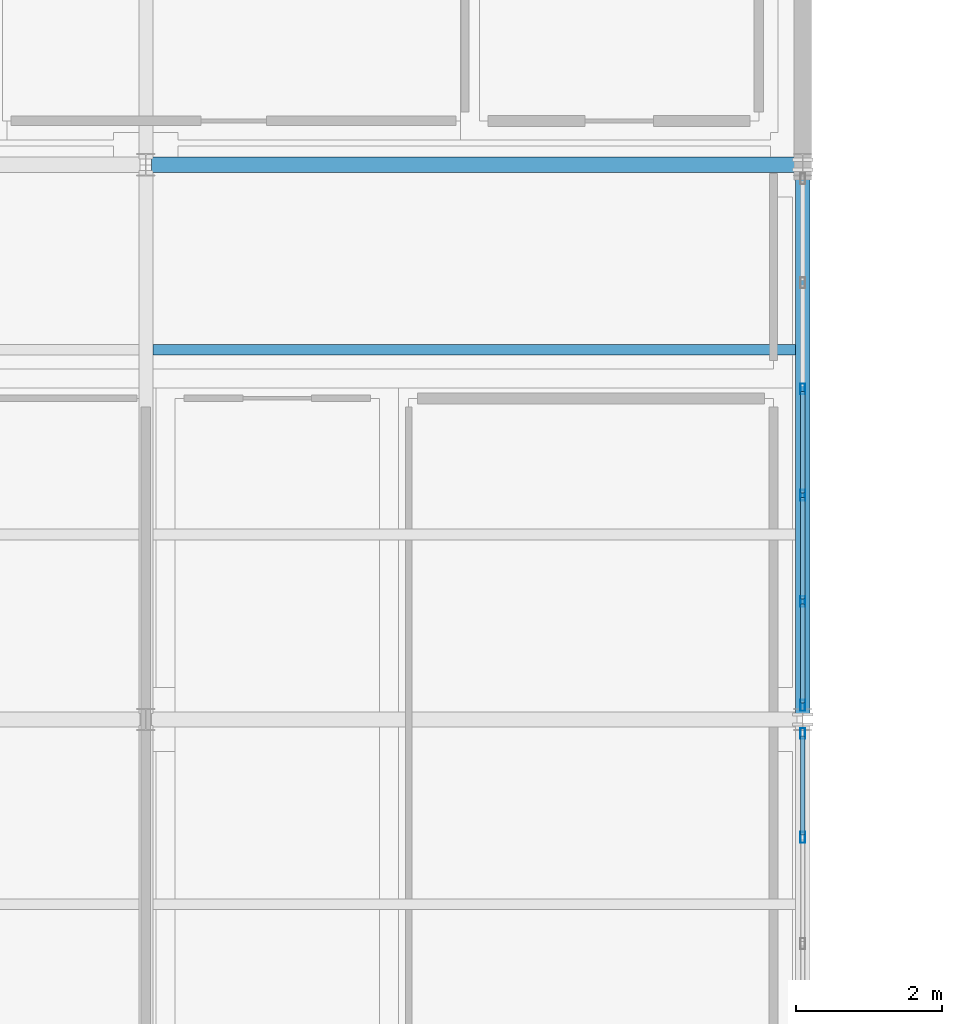
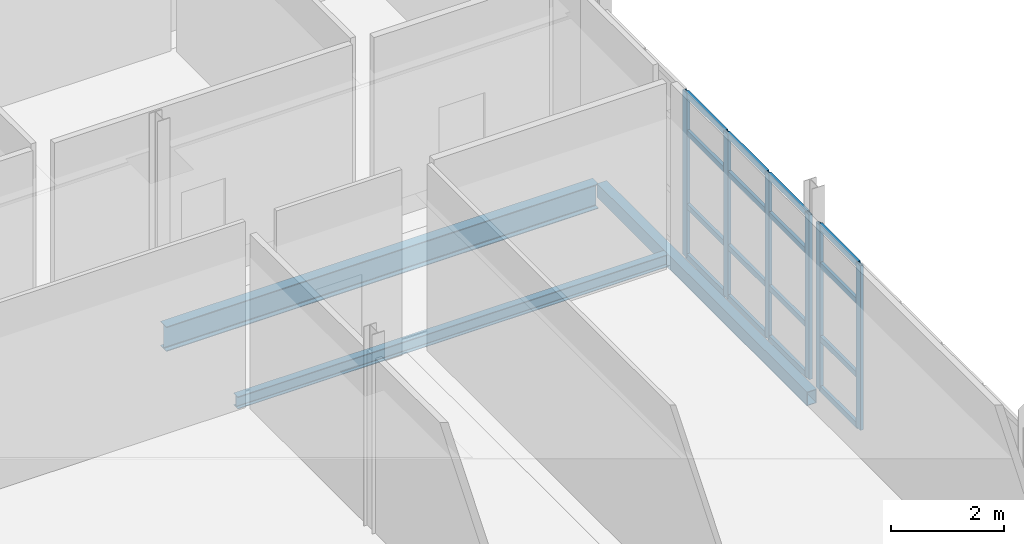
# One storey, part 65 of 96: 22 members, 3 beams, 2 elements without a shape of their own.
"""IFC4 building model written with IfcOpenShell, lengths in metres."""

from ifc_helpers import new_model, si_unit, direction, frame, origin, origin_2d, place, context, subcontext, project, spatial, hollow_rectangle, i_section, extrude, material, material_profile, profile_set, type_object, element, aggregate, save


model = new_model("IFC4")

# Units and contexts
model_context = context("Model", 3, precision=1e-05, world=origin(), true_north=direction((0.0, 1.0)))
body_context = subcontext(model_context, "Body", "Model", "MODEL_VIEW")
ifc_project = project(units=[si_unit("LENGTHUNIT", "METRE"), si_unit("AREAUNIT", "SQUARE_METRE"), si_unit("VOLUMEUNIT", "CUBIC_METRE"), si_unit("PLANEANGLEUNIT", "RADIAN"), si_unit("MASSUNIT", "GRAM", prefix="KILO")], contexts=[model_context])

# Site, building, storey
site_placement = place(None, origin())
site = spatial("IfcSite", under=ifc_project, at=site_placement, CompositionType="ELEMENT")
building_placement = place(site_placement, origin())
building = spatial("IfcBuilding", under=site, at=building_placement, Name="Caisbarro Railhouse Central Library", CompositionType="ELEMENT")
storey_placement = place(building_placement, frame((0.0, 0.0, 13.679931640625)))
storey = spatial("IfcBuildingStorey", under=building, at=storey_placement, Name="L03", CompositionType="ELEMENT", Elevation=13.679931640625)

# Beams
ifc_material_1 = material(Name="Steel ASTM A572 Grade 50", Category="steel")
ifc_material_profile_1 = material_profile(ifc_material_1, i_section(OverallWidth=0.208984375, OverallDepth=0.532958984375, WebThickness=0.01025390625, FlangeThickness=0.015625, FilletRadius=0.02001953125, at=origin_2d()), Name="W530X92.0")
ifc_profile_set_1 = profile_set([ifc_material_profile_1], Name="Steel ASTM A572 Grade 50")
beam_type_1 = type_object("IfcBeamType", Name="BM-G06", PredefinedType="BEAM", material=ifc_profile_set_1)
beam_1_placement = place(storey_placement, frame((144.080078125, 106.39990234375, -0.486328125), z_axis=(1.0, 0.0, 0.0), x_axis=(0.0, 1.0, 0.0)))
element("IfcBeam", 1, at=beam_1_placement, inside=storey, type_object=beam_type_1, Name="G06 beam L03 #1876", PredefinedType="BEAM", context=body_context, shape_type="SweptSolid", body=[
    extrude(i_section(OverallWidth=0.208984375, OverallDepth=0.532958984375, WebThickness=0.01025390625, FlangeThickness=0.015625, FilletRadius=0.02001953125, at=origin_2d()), origin(), (0.0, 0.0, 1.0), 8.83984375),
])
ifc_material_profile_2 = material_profile(ifc_material_1, i_section(OverallWidth=0.14794921875, OverallDepth=0.26611328125, WebThickness=0.007568359375, FlangeThickness=0.012939453125, FilletRadius=0.010009765625, at=origin_2d()), Name="W250X44.8")
ifc_profile_set_2 = profile_set([ifc_material_profile_2], Name="Steel ASTM A572 Grade 50")
beam_type_2 = type_object("IfcBeamType", Name="BM-J04", PredefinedType="JOIST", material=ifc_profile_set_2)
beam_2_placement = place(storey_placement, frame((144.094970703125, 103.86669921875, -0.35302734375), z_axis=(1.0, 0.0, 0.0), x_axis=(0.0, 1.0, 0.0)))
element("IfcBeam", 2, at=beam_2_placement, inside=storey, type_object=beam_type_2, Name="J04 beam L03 #1942", PredefinedType="JOIST", context=body_context, shape_type="SweptSolid", body=[
    extrude(i_section(OverallWidth=0.14794921875, OverallDepth=0.26611328125, WebThickness=0.007568359375, FlangeThickness=0.012939453125, FilletRadius=0.010009765625, at=origin_2d()), origin(), (0.0, 0.0, 1.0), 8.804931640625),
])
ifc_material_profile_3 = material_profile(ifc_material_1, hollow_rectangle(XDim=0.199951171875, YDim=0.300048828125, WallThickness=0.012451171875, at=origin_2d()), Name="HSS300X200X12.5")
ifc_profile_set_3 = profile_set([ifc_material_profile_3], Name="Steel ASTM A572 Grade 50")
beam_type_3 = type_object("IfcBeamType", Name="BM-SP02", PredefinedType="SPANDREL", material=ifc_profile_set_3)
beam_3_placement = place(storey_placement, frame((153.0, 98.8798828125, -0.369873046875), z_axis=(0.0, 1.0, 0.0), x_axis=(-1.0, 0.0, 0.0)))
element("IfcBeam", 3, at=beam_3_placement, inside=storey, type_object=beam_type_3, Name="SP02 beam L03 #1907", PredefinedType="SPANDREL", context=body_context, shape_type="SweptSolid", body=[
    extrude(hollow_rectangle(XDim=0.199951171875, YDim=0.300048828125, WallThickness=0.012451171875, at=origin_2d()), origin(), (0.0, 0.0, 1.0), 7.440185546875),
])

# Curtain wall, members
ifc_material_2 = material(Name="Anodised architectural aluminium", Category="aluminium")
curtain_wall_type = type_object("IfcCurtainWallType", Name="CW-CW03", PredefinedType="NOTDEFINED", material=ifc_material_2)
curtain_wall_1_placement = place(storey_placement, origin())
curtain_wall_1 = element("IfcCurtainWall", 4, at=curtain_wall_1_placement, inside=storey, type_object=curtain_wall_type, Name="CW03 curtain wall L03 #153", PredefinedType="NOTDEFINED")
ifc_material_profile_4 = material_profile(ifc_material_2, hollow_rectangle(XDim=0.06494140625, YDim=0.14990234375, WallThickness=0.00390625, at=origin_2d()), Name="ALU-MUL-65X150")
ifc_profile_set_4 = profile_set([ifc_material_profile_4], Name="Anodised architectural aluminium")
member_type_1 = type_object("IfcMemberType", Name="CWM-M02", PredefinedType="MULLION", material=ifc_profile_set_4)
member_1_placement = place(storey_placement, frame((153.0, 97.18408203125, 0.0), z_axis=(0.0, 0.0, 1.0), x_axis=(-1.0, 0.0, 0.0)))
member_1 = element("IfcMember", 5, at=member_1_placement, type_object=member_type_1, Name="CW03 mullion 5", PredefinedType="MULLION", context=body_context, shape_type="SweptSolid", body=[
    extrude(hollow_rectangle(XDim=0.06494140625, YDim=0.14990234375, WallThickness=0.00390625, at=origin_2d()), origin(), (0.0, 0.0, 1.0), 3.56005859375),
])
member_2_placement = place(storey_placement, frame((153.0, 98.607421875, 0.0), z_axis=(0.0, 0.0, 1.0), x_axis=(-1.0, 0.0, 0.0)))
member_2 = element("IfcMember", 6, at=member_2_placement, type_object=member_type_1, Name="CW03 mullion 6", PredefinedType="MULLION", context=body_context, shape_type="SweptSolid", body=[
    extrude(hollow_rectangle(XDim=0.06494140625, YDim=0.14990234375, WallThickness=0.00390625, at=origin_2d()), origin(), (0.0, 0.0, 1.0), 3.56005859375),
])

curtain_wall_2_placement = place(storey_placement, origin())
curtain_wall_2 = element("IfcCurtainWall", 7, at=curtain_wall_2_placement, inside=storey, type_object=curtain_wall_type, Name="CW03 curtain wall L03 #154", PredefinedType="NOTDEFINED")
member_3_placement = place(storey_placement, frame((153.0, 98.992431640625, 0.0), z_axis=(0.0, 0.0, 1.0), x_axis=(-1.0, 0.0, 0.0)))
member_3 = element("IfcMember", 8, at=member_3_placement, type_object=member_type_1, Name="CW03 mullion 1", PredefinedType="MULLION", context=body_context, shape_type="SweptSolid", body=[
    extrude(hollow_rectangle(XDim=0.06494140625, YDim=0.14990234375, WallThickness=0.00390625, at=origin_2d()), origin(), (0.0, 0.0, 1.0), 3.56005859375),
])
member_4_placement = place(storey_placement, frame((153.0, 100.416015625, 0.0), z_axis=(0.0, 0.0, 1.0), x_axis=(-1.0, 0.0, 0.0)))
member_4 = element("IfcMember", 9, at=member_4_placement, type_object=member_type_1, Name="CW03 mullion 2", PredefinedType="MULLION", context=body_context, shape_type="SweptSolid", body=[
    extrude(hollow_rectangle(XDim=0.06494140625, YDim=0.14990234375, WallThickness=0.00390625, at=origin_2d()), origin(), (0.0, 0.0, 1.0), 3.56005859375),
])
member_5_placement = place(storey_placement, frame((153.0, 101.8720703125, 0.0), z_axis=(0.0, 0.0, 1.0), x_axis=(-1.0, 0.0, 0.0)))
member_5 = element("IfcMember", 10, at=member_5_placement, type_object=member_type_1, Name="CW03 mullion 3", PredefinedType="MULLION", context=body_context, shape_type="SweptSolid", body=[
    extrude(hollow_rectangle(XDim=0.06494140625, YDim=0.14990234375, WallThickness=0.00390625, at=origin_2d()), origin(), (0.0, 0.0, 1.0), 3.56005859375),
])
member_6_placement = place(storey_placement, frame((153.0, 103.327880859375, 0.0), z_axis=(0.0, 0.0, 1.0), x_axis=(-1.0, 0.0, 0.0)))
member_6 = element("IfcMember", 11, at=member_6_placement, type_object=member_type_1, Name="CW03 mullion 4", PredefinedType="MULLION", context=body_context, shape_type="SweptSolid", body=[
    extrude(hollow_rectangle(XDim=0.06494140625, YDim=0.14990234375, WallThickness=0.00390625, at=origin_2d()), origin(), (0.0, 0.0, 1.0), 3.56005859375),
])

# Member
ifc_material_profile_5 = material_profile(ifc_material_2, hollow_rectangle(XDim=0.06494140625, YDim=0.1201171875, WallThickness=0.00341796875, at=origin_2d()), Name="ALU-TRN-65X120")
ifc_profile_set_5 = profile_set([ifc_material_profile_5], Name="Anodised architectural aluminium")
member_type_2 = type_object("IfcMemberType", Name="CWT-T02", PredefinedType="USERDEFINED", material=ifc_profile_set_5)
member_7_placement = place(storey_placement, frame((153.0, 97.216552734375, 0.032470703125), z_axis=(0.0, 1.0, 0.0), x_axis=(-1.0, 0.0, 0.0)))
member_7 = element("IfcMember", 12, at=member_7_placement, type_object=member_type_2, Name="CW03 transom 5.1", ObjectType="TRANSOM", PredefinedType="USERDEFINED", context=body_context, shape_type="SweptSolid", body=[
    extrude(hollow_rectangle(XDim=0.06494140625, YDim=0.1201171875, WallThickness=0.00341796875, at=origin_2d()), origin(), (0.0, 0.0, 1.0), 1.3583984375),
])

member_8_placement = place(storey_placement, frame((153.0, 97.216552734375, 1.1201171875), z_axis=(0.0, 1.0, 0.0), x_axis=(-1.0, 0.0, 0.0)))
member_8 = element("IfcMember", 13, at=member_8_placement, type_object=member_type_2, Name="CW03 transom 5.2", ObjectType="TRANSOM", PredefinedType="USERDEFINED", context=body_context, shape_type="SweptSolid", body=[
    extrude(hollow_rectangle(XDim=0.06494140625, YDim=0.1201171875, WallThickness=0.00341796875, at=origin_2d()), origin(), (0.0, 0.0, 1.0), 1.3583984375),
])

member_9_placement = place(storey_placement, frame((153.0, 97.216552734375, 2.7099609375), z_axis=(0.0, 1.0, 0.0), x_axis=(-1.0, 0.0, 0.0)))
member_9 = element("IfcMember", 14, at=member_9_placement, type_object=member_type_2, Name="CW03 transom 5.3", ObjectType="TRANSOM", PredefinedType="USERDEFINED", context=body_context, shape_type="SweptSolid", body=[
    extrude(hollow_rectangle(XDim=0.06494140625, YDim=0.1201171875, WallThickness=0.00341796875, at=origin_2d()), origin(), (0.0, 0.0, 1.0), 1.3583984375),
])

member_10_placement = place(storey_placement, frame((153.0, 97.216552734375, 3.527587890625), z_axis=(0.0, 1.0, 0.0), x_axis=(-1.0, 0.0, 0.0)))
member_10 = element("IfcMember", 15, at=member_10_placement, type_object=member_type_2, Name="CW03 transom 5.4", ObjectType="TRANSOM", PredefinedType="USERDEFINED", context=body_context, shape_type="SweptSolid", body=[
    extrude(hollow_rectangle(XDim=0.06494140625, YDim=0.1201171875, WallThickness=0.00341796875, at=origin_2d()), origin(), (0.0, 0.0, 1.0), 1.3583984375),
])

aggregate(curtain_wall_1, [member_1, member_2, member_7, member_8, member_9, member_10])

member_11_placement = place(storey_placement, frame((153.0, 99.02490234375, 0.032470703125), z_axis=(0.0, 1.0, 0.0), x_axis=(-1.0, 0.0, 0.0)))
member_11 = element("IfcMember", 16, at=member_11_placement, type_object=member_type_2, Name="CW03 transom 1.1", ObjectType="TRANSOM", PredefinedType="USERDEFINED", context=body_context, shape_type="SweptSolid", body=[
    extrude(hollow_rectangle(XDim=0.06494140625, YDim=0.1201171875, WallThickness=0.00341796875, at=origin_2d()), origin(), (0.0, 0.0, 1.0), 1.358642578125),
])

member_12_placement = place(storey_placement, frame((153.0, 99.02490234375, 1.1201171875), z_axis=(0.0, 1.0, 0.0), x_axis=(-1.0, 0.0, 0.0)))
member_12 = element("IfcMember", 17, at=member_12_placement, type_object=member_type_2, Name="CW03 transom 1.2", ObjectType="TRANSOM", PredefinedType="USERDEFINED", context=body_context, shape_type="SweptSolid", body=[
    extrude(hollow_rectangle(XDim=0.06494140625, YDim=0.1201171875, WallThickness=0.00341796875, at=origin_2d()), origin(), (0.0, 0.0, 1.0), 1.358642578125),
])

member_13_placement = place(storey_placement, frame((153.0, 99.02490234375, 2.7099609375), z_axis=(0.0, 1.0, 0.0), x_axis=(-1.0, 0.0, 0.0)))
member_13 = element("IfcMember", 18, at=member_13_placement, type_object=member_type_2, Name="CW03 transom 1.3", ObjectType="TRANSOM", PredefinedType="USERDEFINED", context=body_context, shape_type="SweptSolid", body=[
    extrude(hollow_rectangle(XDim=0.06494140625, YDim=0.1201171875, WallThickness=0.00341796875, at=origin_2d()), origin(), (0.0, 0.0, 1.0), 1.358642578125),
])

member_14_placement = place(storey_placement, frame((153.0, 99.02490234375, 3.527587890625), z_axis=(0.0, 1.0, 0.0), x_axis=(-1.0, 0.0, 0.0)))
member_14 = element("IfcMember", 19, at=member_14_placement, type_object=member_type_2, Name="CW03 transom 1.4", ObjectType="TRANSOM", PredefinedType="USERDEFINED", context=body_context, shape_type="SweptSolid", body=[
    extrude(hollow_rectangle(XDim=0.06494140625, YDim=0.1201171875, WallThickness=0.00341796875, at=origin_2d()), origin(), (0.0, 0.0, 1.0), 1.358642578125),
])

member_15_placement = place(storey_placement, frame((153.0, 100.448486328125, 0.032470703125), z_axis=(0.0, 1.0, 0.0), x_axis=(-1.0, 0.0, 0.0)))
member_15 = element("IfcMember", 20, at=member_15_placement, type_object=member_type_2, Name="CW03 transom 2.1", ObjectType="TRANSOM", PredefinedType="USERDEFINED", context=body_context, shape_type="SweptSolid", body=[
    extrude(hollow_rectangle(XDim=0.06494140625, YDim=0.1201171875, WallThickness=0.00341796875, at=origin_2d()), origin(), (0.0, 0.0, 1.0), 1.39111328125),
])

member_16_placement = place(storey_placement, frame((153.0, 100.448486328125, 1.1201171875), z_axis=(0.0, 1.0, 0.0), x_axis=(-1.0, 0.0, 0.0)))
member_16 = element("IfcMember", 21, at=member_16_placement, type_object=member_type_2, Name="CW03 transom 2.2", ObjectType="TRANSOM", PredefinedType="USERDEFINED", context=body_context, shape_type="SweptSolid", body=[
    extrude(hollow_rectangle(XDim=0.06494140625, YDim=0.1201171875, WallThickness=0.00341796875, at=origin_2d()), origin(), (0.0, 0.0, 1.0), 1.39111328125),
])

member_17_placement = place(storey_placement, frame((153.0, 100.448486328125, 2.7099609375), z_axis=(0.0, 1.0, 0.0), x_axis=(-1.0, 0.0, 0.0)))
member_17 = element("IfcMember", 22, at=member_17_placement, type_object=member_type_2, Name="CW03 transom 2.3", ObjectType="TRANSOM", PredefinedType="USERDEFINED", context=body_context, shape_type="SweptSolid", body=[
    extrude(hollow_rectangle(XDim=0.06494140625, YDim=0.1201171875, WallThickness=0.00341796875, at=origin_2d()), origin(), (0.0, 0.0, 1.0), 1.39111328125),
])

member_18_placement = place(storey_placement, frame((153.0, 100.448486328125, 3.527587890625), z_axis=(0.0, 1.0, 0.0), x_axis=(-1.0, 0.0, 0.0)))
member_18 = element("IfcMember", 23, at=member_18_placement, type_object=member_type_2, Name="CW03 transom 2.4", ObjectType="TRANSOM", PredefinedType="USERDEFINED", context=body_context, shape_type="SweptSolid", body=[
    extrude(hollow_rectangle(XDim=0.06494140625, YDim=0.1201171875, WallThickness=0.00341796875, at=origin_2d()), origin(), (0.0, 0.0, 1.0), 1.39111328125),
])

member_19_placement = place(storey_placement, frame((153.0, 101.904541015625, 0.032470703125), z_axis=(0.0, 1.0, 0.0), x_axis=(-1.0, 0.0, 0.0)))
member_19 = element("IfcMember", 24, at=member_19_placement, type_object=member_type_2, Name="CW03 transom 3.1", ObjectType="TRANSOM", PredefinedType="USERDEFINED", context=body_context, shape_type="SweptSolid", body=[
    extrude(hollow_rectangle(XDim=0.06494140625, YDim=0.1201171875, WallThickness=0.00341796875, at=origin_2d()), origin(), (0.0, 0.0, 1.0), 1.390869140625),
])

member_20_placement = place(storey_placement, frame((153.0, 101.904541015625, 1.1201171875), z_axis=(0.0, 1.0, 0.0), x_axis=(-1.0, 0.0, 0.0)))
member_20 = element("IfcMember", 25, at=member_20_placement, type_object=member_type_2, Name="CW03 transom 3.2", ObjectType="TRANSOM", PredefinedType="USERDEFINED", context=body_context, shape_type="SweptSolid", body=[
    extrude(hollow_rectangle(XDim=0.06494140625, YDim=0.1201171875, WallThickness=0.00341796875, at=origin_2d()), origin(), (0.0, 0.0, 1.0), 1.390869140625),
])

member_21_placement = place(storey_placement, frame((153.0, 101.904541015625, 2.7099609375), z_axis=(0.0, 1.0, 0.0), x_axis=(-1.0, 0.0, 0.0)))
member_21 = element("IfcMember", 26, at=member_21_placement, type_object=member_type_2, Name="CW03 transom 3.3", ObjectType="TRANSOM", PredefinedType="USERDEFINED", context=body_context, shape_type="SweptSolid", body=[
    extrude(hollow_rectangle(XDim=0.06494140625, YDim=0.1201171875, WallThickness=0.00341796875, at=origin_2d()), origin(), (0.0, 0.0, 1.0), 1.390869140625),
])

member_22_placement = place(storey_placement, frame((153.0, 101.904541015625, 3.527587890625), z_axis=(0.0, 1.0, 0.0), x_axis=(-1.0, 0.0, 0.0)))
member_22 = element("IfcMember", 27, at=member_22_placement, type_object=member_type_2, Name="CW03 transom 3.4", ObjectType="TRANSOM", PredefinedType="USERDEFINED", context=body_context, shape_type="SweptSolid", body=[
    extrude(hollow_rectangle(XDim=0.06494140625, YDim=0.1201171875, WallThickness=0.00341796875, at=origin_2d()), origin(), (0.0, 0.0, 1.0), 1.390869140625),
])

aggregate(curtain_wall_2, [member_3, member_4, member_5, member_6, member_11, member_12, member_13, member_14, member_15, member_16, member_17, member_18, member_19, member_20, member_21, member_22])

save(model, "model.ifc")
